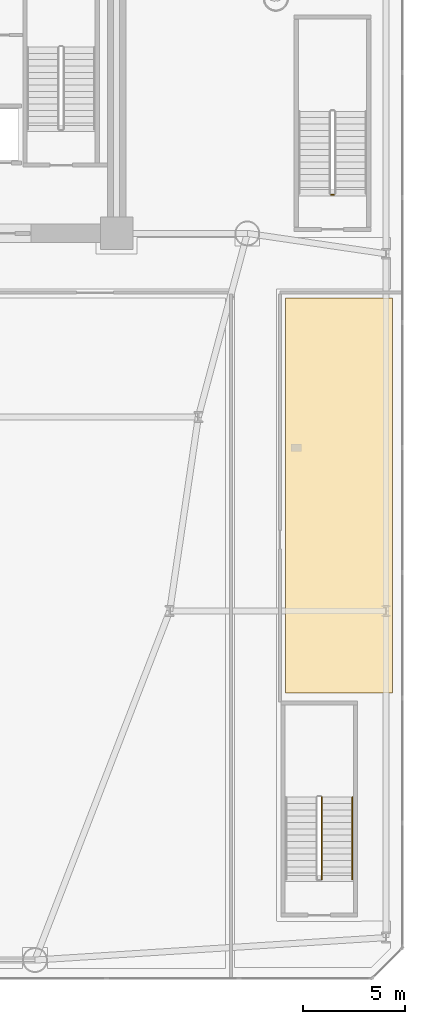
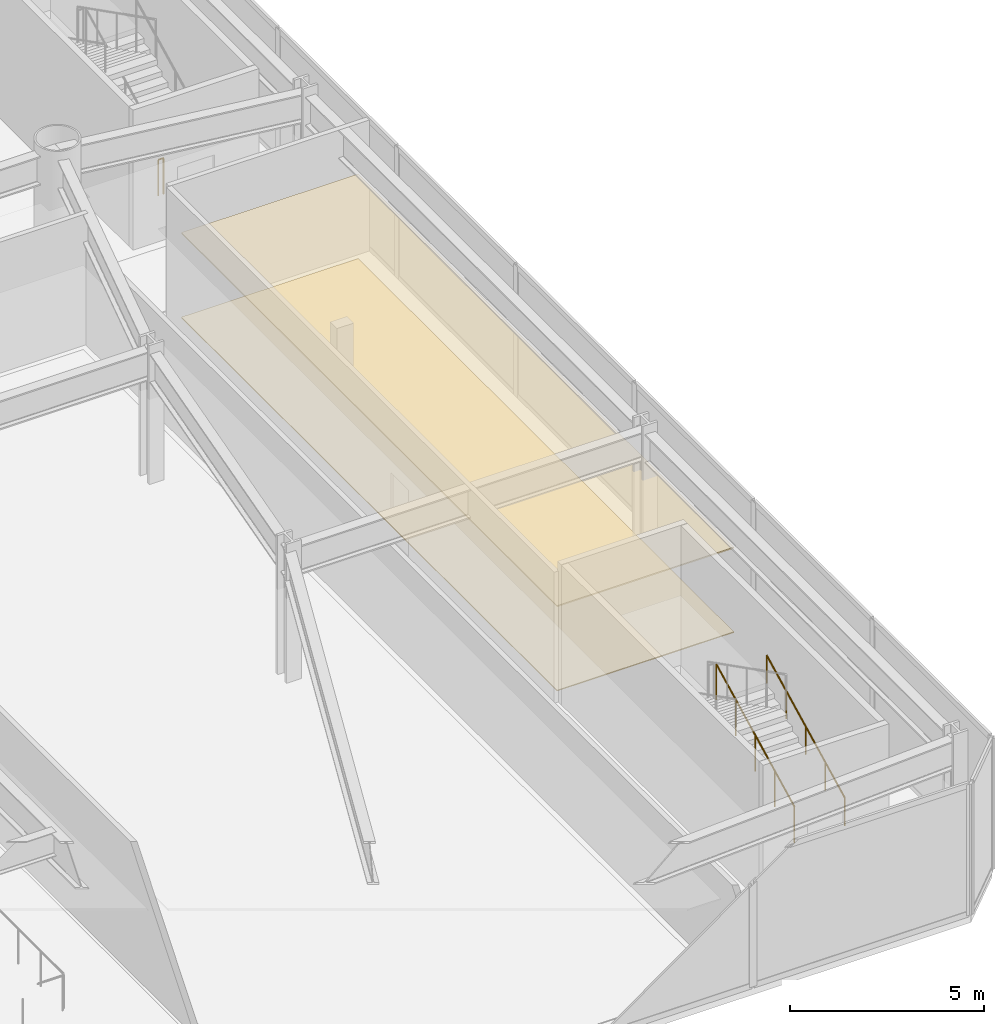
# One storey, part 23 of 24: 3 railings, 2 coverings.
"""IFC4 building model written with IfcOpenShell, lengths in metres."""

from ifc_helpers import new_model, si_unit, direction, frame, origin, origin_2d, place, context, subcontext, project, spatial, polyline, circle, outline, extrude, material, layer, layer_set, type_object, element, save


model = new_model("IFC4")

# Units and contexts
model_context = context("Model", 3, precision=1e-05, world=origin(), true_north=direction((0.0, 1.0)))
body_context = subcontext(model_context, "Body", "Model", "MODEL_VIEW")
ifc_project = project(units=[si_unit("LENGTHUNIT", "METRE"), si_unit("AREAUNIT", "SQUARE_METRE"), si_unit("VOLUMEUNIT", "CUBIC_METRE"), si_unit("PLANEANGLEUNIT", "RADIAN"), si_unit("MASSUNIT", "GRAM", prefix="KILO")], contexts=[model_context])

# Site, building, storey
site_placement = place(None, origin())
site = spatial("IfcSite", under=ifc_project, at=site_placement, CompositionType="ELEMENT")
building_placement = place(site_placement, origin())
building = spatial("IfcBuilding", under=site, at=building_placement, Name="Vaeldorn Concourse Tower", CompositionType="ELEMENT")
storey_placement = place(building_placement, frame((0.0, 0.0, 5.60009765625)))
storey = spatial("IfcBuildingStorey", under=building, at=storey_placement, Name="L01", CompositionType="ELEMENT", Elevation=5.60009765625)

# Coverings
ifc_material_1 = material(Name="Acoustic Mineral Fibre Board", Category="gypsum")
ifc_layer_1 = layer(ifc_material_1, 0.0400390625)
ifc_layer_set_1 = layer_set([ifc_layer_1], Name="Acoustic Mineral Fibre Board")
covering_type_1 = type_object("IfcCoveringType", Name="COV-CEIL-ACOUSTIC", PredefinedType="CEILING", material=ifc_layer_set_1)
covering_1_placement = place(storey_placement, frame((0.0, 0.0, 2.64990234375)))
element("IfcCovering", 1, at=covering_1_placement, inside=storey, type_object=covering_type_1, Name="Suspended Acoustic Ceiling L01-8", PredefinedType="CEILING", context=body_context, shape_type="SweptSolid", body=[
    extrude(outline(polyline([(62.260009765625, 33.340087890625), (67.52001953125, 33.340087890625), (67.52001953125, 13.97998046875), (62.260009765625, 13.97998046875), (62.260009765625, 33.340087890625)])), origin(), (0.0, 0.0, 1.0), 0.0400390625),
])
ifc_material_2 = material(Name="Honed Limestone Terrazzo Flooring", Category="masonry")
ifc_layer_2 = layer(ifc_material_2, 0.0400390625)
ifc_layer_set_2 = layer_set([ifc_layer_2], Name="Honed Limestone Terrazzo Flooring")
covering_type_2 = type_object("IfcCoveringType", Name="COV-FLOOR-STONE", PredefinedType="FLOORING", material=ifc_layer_set_2)
covering_2_placement = place(storey_placement, origin())
element("IfcCovering", 2, at=covering_2_placement, inside=storey, type_object=covering_type_2, Name="Floor Finish Covering L01-8", PredefinedType="FLOORING", context=body_context, shape_type="SweptSolid", body=[
    extrude(outline(polyline([(62.260009765625, 33.340087890625), (67.52001953125, 33.340087890625), (67.52001953125, 13.97998046875), (62.260009765625, 13.97998046875), (62.260009765625, 33.340087890625)])), origin(), (0.0, 0.0, 1.0), 0.02978515625),
])

# Railings
ifc_material_3 = material(Name="Anodised Bronze Aluminium", Category="aluminium")
railing_type_1 = type_object("IfcRailingType", Name="RL-STAIR-GUARD", PredefinedType="GUARDRAIL", material=ifc_material_3)
railing_1_placement = place(storey_placement, frame((64.64990234375, 38.39990234375, 0.0)))
element("IfcRailing", 3, at=railing_1_placement, inside=storey, type_object=railing_type_1, Name="L01 ST-4 stair guard 4", PredefinedType="GUARDRAIL", context=body_context, shape_type="SweptSolid", body=[
    extrude(circle(Radius=0.02392578125, at=origin_2d()), frame((0.0, 0.0, 1.1259765625), z_axis=(-1.0, 0.0, 0.0), x_axis=(0.0, -1.0, 0.0)), (0.0, 0.0, 1.0), 0.14990234375),
    extrude(circle(Radius=0.02099609375, at=origin_2d()), origin(), (0.0, 0.0, 1.0), 1.101806640625),
    extrude(circle(Radius=0.02099609375, at=origin_2d()), frame((-0.14990234375, 0.0, 0.0)), (0.0, 0.0, 1.0), 1.101806640625),
])
railing_2_placement = place(storey_placement, frame((64.050048828125, 4.85009765625, 0.156982421875)))
element("IfcRailing", 4, at=railing_2_placement, inside=storey, type_object=railing_type_1, Name="L01 ST-5 stair guard 1", PredefinedType="GUARDRAIL", context=body_context, shape_type="SweptSolid", body=[
    extrude(circle(Radius=0.02392578125, at=origin_2d()), frame((0.0, 0.0, 1.1259765625), z_axis=(0.0, 0.891927692675, 0.452178052363), x_axis=(-1.0, 0.0, 0.0)), (0.0, 0.0, 1.0), 4.51806640625),
    extrude(circle(Radius=0.02099609375, at=origin_2d()), origin(), (0.0, 0.0, 1.0), 1.101806640625),
    extrude(circle(Radius=0.02099609375, at=origin_2d()), frame((0.0, 1.00732421875, 0.5107421875)), (0.0, 0.0, 1.0), 1.101806640625),
    extrude(circle(Radius=0.02099609375, at=origin_2d()), frame((0.0, 2.014892578125, 1.021484375)), (0.0, 0.0, 1.0), 1.101806640625),
    extrude(circle(Radius=0.02099609375, at=origin_2d()), frame((0.0, 3.0224609375, 1.5322265625)), (0.0, 0.0, 1.0), 1.101806640625),
    extrude(circle(Radius=0.02099609375, at=origin_2d()), frame((0.0, 4.02978515625, 2.04296875)), (0.0, 0.0, 1.0), 1.101806640625),
])
railing_type_2 = type_object("IfcRailingType", Name="RL-STAIR-HANDRAIL", PredefinedType="HANDRAIL", material=ifc_material_3)
railing_3_placement = place(storey_placement, frame((65.550048828125, 4.85009765625, 0.156982421875)))
element("IfcRailing", 5, at=railing_3_placement, inside=storey, type_object=railing_type_2, Name="L01 ST-5 stair handrail 1", PredefinedType="HANDRAIL", context=body_context, shape_type="SweptSolid", body=[
    extrude(circle(Radius=0.02392578125, at=origin_2d()), frame((0.0, 0.0, 0.8759765625), z_axis=(0.0, 0.891927692675, 0.452178052363), x_axis=(-1.0, 0.0, 0.0)), (0.0, 0.0, 1.0), 4.51806640625),
    extrude(circle(Radius=0.02099609375, at=origin_2d()), origin(), (0.0, 0.0, 1.0), 0.851806640625),
    extrude(circle(Radius=0.02099609375, at=origin_2d()), frame((0.0, 1.00732421875, 0.5107421875)), (0.0, 0.0, 1.0), 0.851806640625),
    extrude(circle(Radius=0.02099609375, at=origin_2d()), frame((0.0, 2.014892578125, 1.021484375)), (0.0, 0.0, 1.0), 0.851806640625),
    extrude(circle(Radius=0.02099609375, at=origin_2d()), frame((0.0, 3.0224609375, 1.5322265625)), (0.0, 0.0, 1.0), 0.851806640625),
    extrude(circle(Radius=0.02099609375, at=origin_2d()), frame((0.0, 4.02978515625, 2.04296875)), (0.0, 0.0, 1.0), 0.851806640625),
])

save(model, "model.ifc")
